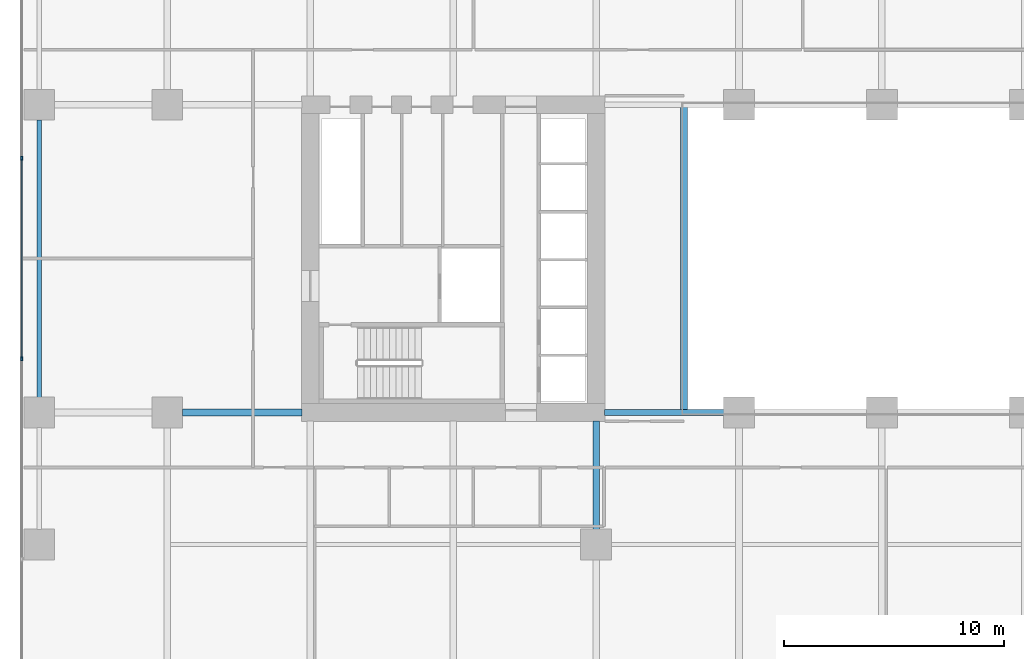
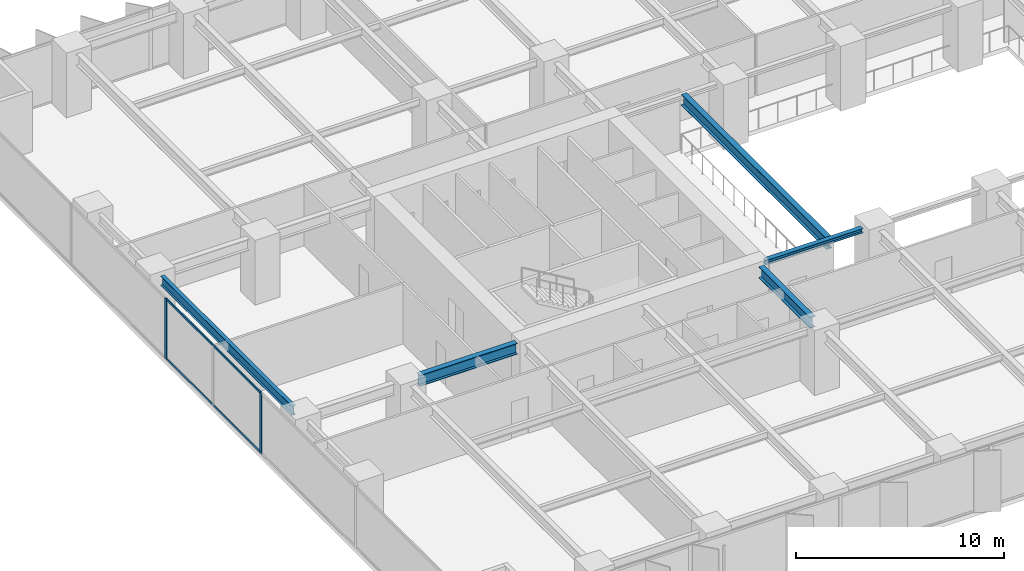
# One storey, part 4 of 20: 5 beams, 4 members, 1 element without a shape of its own.
"""IFC4 building model written with IfcOpenShell, lengths in metres."""

from ifc_helpers import new_model, si_unit, direction, frame, origin, origin_2d, place, context, subcontext, project, spatial, rectangle, i_section, extrude, material, layer, layer_set, material_profile, profile_set, type_object, element, aggregate, save


model = new_model("IFC4")

# Units and contexts
model_context = context("Model", 3, precision=1e-05, world=origin(), true_north=direction((0.0, 1.0)))
body_context = subcontext(model_context, "Body", "Model", "MODEL_VIEW")
ifc_project = project(units=[si_unit("LENGTHUNIT", "METRE"), si_unit("AREAUNIT", "SQUARE_METRE"), si_unit("VOLUMEUNIT", "CUBIC_METRE"), si_unit("PLANEANGLEUNIT", "RADIAN"), si_unit("MASSUNIT", "GRAM", prefix="KILO")], contexts=[model_context])

# Site, building, storey
site_placement = place(None, origin())
site = spatial("IfcSite", under=ifc_project, at=site_placement, CompositionType="ELEMENT")
building_placement = place(site_placement, origin())
building = spatial("IfcBuilding", under=site, at=building_placement, Name="Putna Gate Headquarters", CompositionType="ELEMENT")
storey_placement = place(building_placement, frame((0.0, 0.0, 46.800048828125)))
storey = spatial("IfcBuildingStorey", under=building, at=storey_placement, Name="L10", CompositionType="ELEMENT", Elevation=46.800048828125)

# Beams
ifc_material_1 = material(Name="Steel S355J2", Category="steel")
ifc_material_profile_1 = material_profile(ifc_material_1, i_section(OverallWidth=0.260009765625, OverallDepth=0.260009765625, WebThickness=0.010009765625, FlangeThickness=0.017578125, at=origin_2d()), Name="Steel S355J2")
ifc_profile_set_1 = profile_set([ifc_material_profile_1], Name="Steel S355J2")
beam_type_1 = type_object("IfcBeamType", Name="BM-ATRIUM-HEB260", PredefinedType="BEAM", material=ifc_profile_set_1)
beam_1_placement = place(storey_placement, frame((26.385009765625, 19.0, 3.419921875), z_axis=(1.0, 0.0, 0.0), x_axis=(0.0, 1.0, 0.0)))
element("IfcBeam", 1, at=beam_1_placement, inside=storey, type_object=beam_type_1, Name="L10 Atrium Edge Beam AS1", PredefinedType="BEAM", context=body_context, shape_type="SweptSolid", body=[
    extrude(i_section(OverallWidth=0.260009765625, OverallDepth=0.260009765625, WebThickness=0.010009765625, FlangeThickness=0.017578125, at=origin_2d()), origin(), (0.0, 0.0, 1.0), 5.427001953125),
])
ifc_material_profile_2 = material_profile(ifc_material_1, i_section(OverallWidth=0.300048828125, OverallDepth=0.64990234375, WebThickness=0.01611328125, FlangeThickness=0.031005859375, at=origin_2d()), Name="Steel S355J2")
ifc_profile_set_2 = profile_set([ifc_material_profile_2], Name="Steel S355J2")
beam_type_2 = type_object("IfcBeamType", Name="BM-GIRD-Z1-HEB650", PredefinedType="USERDEFINED", material=ifc_profile_set_2)
beam_2_placement = place(storey_placement, frame((7.18798828125, 19.0, 3.224853515625), z_axis=(1.0, 0.0, 0.0), x_axis=(0.0, 1.0, 0.0)))
element("IfcBeam", 2, at=beam_2_placement, inside=storey, type_object=beam_type_2, Name="L10 West Wing Girder Y19-2", ObjectType="GIRDER", PredefinedType="USERDEFINED", context=body_context, shape_type="SweptSolid", body=[
    extrude(i_section(OverallWidth=0.300048828125, OverallDepth=0.64990234375, WebThickness=0.01611328125, FlangeThickness=0.031005859375, at=origin_2d()), origin(), (0.0, 0.0, 1.0), 5.427001953125),
])
beam_3_placement = place(storey_placement, frame((26.0, 13.68798828125, 3.224853515625), z_axis=(0.0, 1.0, 0.0), x_axis=(-1.0, 0.0, 0.0)))
element("IfcBeam", 3, at=beam_3_placement, inside=storey, type_object=beam_type_2, Name="L10 South Primary Girder X26-2", ObjectType="GIRDER", PredefinedType="USERDEFINED", context=body_context, shape_type="SweptSolid", body=[
    extrude(i_section(OverallWidth=0.300048828125, OverallDepth=0.64990234375, WebThickness=0.01611328125, FlangeThickness=0.031005859375, at=origin_2d()), origin(), (0.0, 0.0, 1.0), 4.927001953125),
])
beam_4_placement = place(storey_placement, frame((30.0, 19.010009765625, 3.224853515625), z_axis=(0.0, 1.0, 0.0), x_axis=(-1.0, 0.0, 0.0)))
element("IfcBeam", 4, at=beam_4_placement, inside=storey, type_object=beam_type_2, Name="L10 Atrium Trim Girder AW", ObjectType="GIRDER", PredefinedType="USERDEFINED", context=body_context, shape_type="SweptSolid", body=[
    extrude(i_section(OverallWidth=0.300048828125, OverallDepth=0.64990234375, WebThickness=0.01611328125, FlangeThickness=0.031005859375, at=origin_2d()), origin(), (0.0, 0.0, 1.0), 13.97998046875),
])
ifc_material_profile_3 = material_profile(ifc_material_1, i_section(OverallWidth=0.2099609375, OverallDepth=0.550048828125, WebThickness=0.010986328125, FlangeThickness=0.01708984375, at=origin_2d()), Name="Steel S355J2")
ifc_profile_set_3 = profile_set([ifc_material_profile_3], Name="Steel S355J2")
beam_type_3 = type_object("IfcBeamType", Name="BM-SPAN-Z1-IPE550", PredefinedType="SPANDREL", material=ifc_profile_set_3)
beam_5_placement = place(storey_placement, frame((0.679931640625, 19.68798828125, 3.27490234375), z_axis=(0.0, 1.0, 0.0), x_axis=(-1.0, 0.0, 0.0)))
element("IfcBeam", 5, at=beam_5_placement, inside=storey, type_object=beam_type_3, Name="L10 W End Spandrel 2", PredefinedType="SPANDREL", context=body_context, shape_type="SweptSolid", body=[
    extrude(i_section(OverallWidth=0.2099609375, OverallDepth=0.550048828125, WebThickness=0.010986328125, FlangeThickness=0.01708984375, at=origin_2d()), origin(), (0.0, 0.0, 1.0), 12.6240234375),
])

# Curtain wall, members
ifc_material_2 = material(Name="Anodised bronze aluminium curtain wall", Category="aluminium")
ifc_layer = layer(ifc_material_2, 0.179931640625)
ifc_layer_set = layer_set([ifc_layer], Name="Anodised bronze aluminium curtain wall")
curtain_wall_type = type_object("IfcCurtainWallType", Name="CW-SYS-Z1", PredefinedType="USERDEFINED", material=ifc_layer_set)
curtain_wall_placement = place(storey_placement, origin())
curtain_wall = element("IfcCurtainWall", 6, at=curtain_wall_placement, inside=storey, type_object=curtain_wall_type, Name="L10 West Curtain Wall", ObjectType="STICK CURTAIN WALL", PredefinedType="USERDEFINED")
ifc_material_3 = material(Name="Anodised bronze aluminium EN AW-6060", Category="aluminium")
ifc_material_profile_4 = material_profile(ifc_material_3, rectangle(XDim=0.070068359375, YDim=0.179931640625, at=origin_2d()), Name="Anodised bronze aluminium EN AW-6060")
ifc_profile_set_4 = profile_set([ifc_material_profile_4], Name="Anodised bronze aluminium EN AW-6060")
member_type_1 = type_object("IfcMemberType", Name="MULL-CWM-1", PredefinedType="MULLION", material=ifc_profile_set_4)
member_1_placement = place(storey_placement, frame((-0.1201171875, 21.43994140625, 0.0), z_axis=(0.0, 0.0, 1.0), x_axis=(-1.0, 0.0, 0.0)))
member_1 = element("IfcMember", 7, at=member_1_placement, type_object=member_type_1, Name="CWS-1 mullion 3", PredefinedType="MULLION", context=body_context, shape_type="SweptSolid", body=[
    extrude(rectangle(XDim=0.070068359375, YDim=0.179931640625, at=origin_2d()), origin(), (0.0, 0.0, 1.0), 3.550048828125),
])
member_2_placement = place(storey_placement, frame((-0.1201171875, 30.56005859375, 0.0), z_axis=(0.0, 0.0, 1.0), x_axis=(-1.0, 0.0, 0.0)))
member_2 = element("IfcMember", 8, at=member_2_placement, type_object=member_type_1, Name="CWS-1 mullion 4", PredefinedType="MULLION", context=body_context, shape_type="SweptSolid", body=[
    extrude(rectangle(XDim=0.070068359375, YDim=0.179931640625, at=origin_2d()), origin(), (0.0, 0.0, 1.0), 3.550048828125),
])
ifc_material_profile_5 = material_profile(ifc_material_3, rectangle(XDim=0.06494140625, YDim=0.1201171875, at=origin_2d()), Name="Anodised bronze aluminium EN AW-6060")
ifc_profile_set_5 = profile_set([ifc_material_profile_5], Name="Anodised bronze aluminium EN AW-6060")
member_type_2 = type_object("IfcMemberType", Name="TRAN-CWT-1", PredefinedType="USERDEFINED", material=ifc_profile_set_5)
member_3_placement = place(storey_placement, frame((-0.1201171875, 21.47509765625, 0.032470703125), z_axis=(0.0, 1.0, 0.0), x_axis=(-1.0, 0.0, 0.0)))
member_3 = element("IfcMember", 9, at=member_3_placement, type_object=member_type_2, Name="CWS-1 transom 3.1", ObjectType="TRANSOM", PredefinedType="USERDEFINED", context=body_context, shape_type="SweptSolid", body=[
    extrude(rectangle(XDim=0.06494140625, YDim=0.1201171875, at=origin_2d()), origin(), (0.0, 0.0, 1.0), 9.0498046875),
])
member_4_placement = place(storey_placement, frame((-0.1201171875, 21.47509765625, 3.517333984375), z_axis=(0.0, 1.0, 0.0), x_axis=(-1.0, 0.0, 0.0)))
member_4 = element("IfcMember", 10, at=member_4_placement, type_object=member_type_2, Name="CWS-1 transom 3.2", ObjectType="TRANSOM", PredefinedType="USERDEFINED", context=body_context, shape_type="SweptSolid", body=[
    extrude(rectangle(XDim=0.06494140625, YDim=0.1201171875, at=origin_2d()), origin(), (0.0, 0.0, 1.0), 9.0498046875),
])
aggregate(curtain_wall, [member_1, member_2, member_3, member_4])

save(model, "model.ifc")
